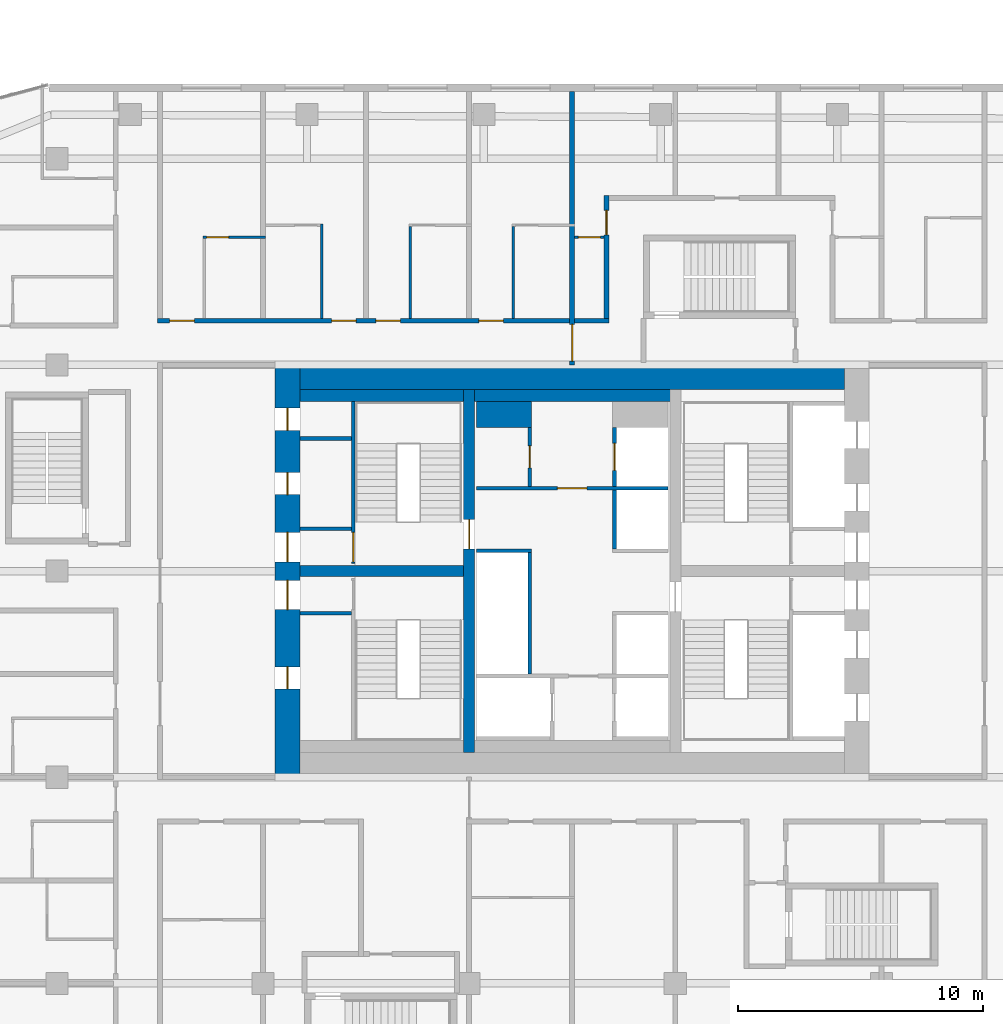
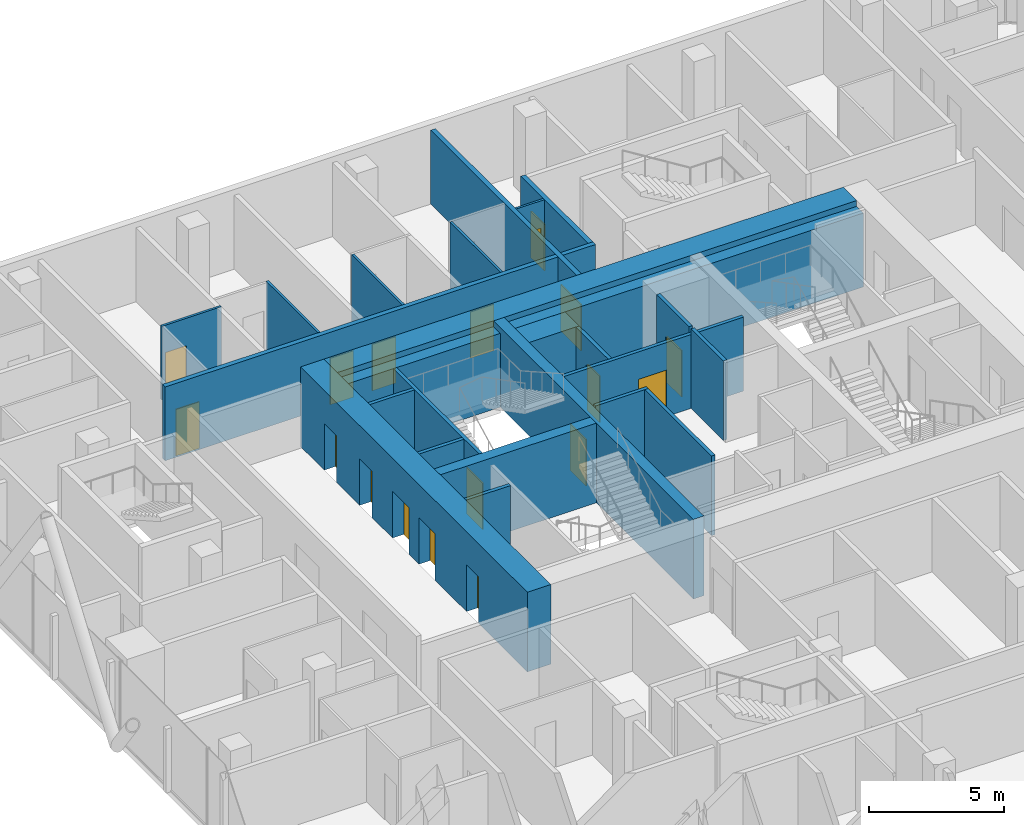
# One storey, part 28 of 33: 24 walls, 18 doors, 18 openings.
"""IFC4 building model written with IfcOpenShell, lengths in metres."""

from ifc_helpers import new_model, si_unit, direction, frame, frame_2d, origin, place, context, subcontext, project, spatial, rectangle, extrude, material, layer, layer_set, type_object, element, fill, save


model = new_model("IFC4")

# Units and contexts
model_context = context("Model", 3, precision=1e-05, world=origin(), true_north=direction((0.0, 1.0)))
body_context = subcontext(model_context, "Body", "Model", "MODEL_VIEW")
ifc_project = project(units=[si_unit("LENGTHUNIT", "METRE"), si_unit("AREAUNIT", "SQUARE_METRE"), si_unit("VOLUMEUNIT", "CUBIC_METRE"), si_unit("PLANEANGLEUNIT", "RADIAN"), si_unit("MASSUNIT", "GRAM", prefix="KILO")], contexts=[model_context])

# Site, building, storey
site_placement = place(None, origin())
site = spatial("IfcSite", under=ifc_project, at=site_placement, CompositionType="ELEMENT")
building_placement = place(site_placement, origin())
building = spatial("IfcBuilding", under=site, at=building_placement, Name="Marenta Gate Hotel Tower", CompositionType="ELEMENT")
storey_placement = place(building_placement, frame((0.0, 0.0, 122.89990234375)))
storey = spatial("IfcBuildingStorey", under=building, at=storey_placement, Name="L27", CompositionType="ELEMENT", Elevation=122.89990234375)

# Wall, opening, door
ifc_material_1 = material(Name="Concrete blockwork", Category="masonry")
ifc_layer_1 = layer(ifc_material_1, 0.199951171875)
ifc_layer_set_1 = layer_set([ifc_layer_1], Name="Concrete blockwork")
wall_type_1 = type_object("IfcWallType", Name="Compartment wall 200 REI 180", PredefinedType="PARTITIONING", material=ifc_layer_set_1)
wall_1_placement = place(storey_placement, frame((0.0, 16.800048828125, 0.0), z_axis=(0.0, 0.0, 1.0), x_axis=(0.0, 1.0, 0.0)))
wall_1 = element("IfcWall", 1, at=wall_1_placement, inside=storey, type_object=wall_type_1, Name="L27-PTN-W064", PredefinedType="PARTITIONING", context=body_context, shape_type="SweptSolid", body=[
    extrude(rectangle(XDim=11.139892578125, YDim=0.199951171875, at=frame_2d((5.56982421875, 0.0))), origin(), (0.0, 0.0, 1.0), 3.340087890625),
])
opening_1_placement = place(wall_1_placement, frame((0.14990234375, 0.0, 0.0)))
opening_1 = element("IfcOpeningElement", 2, at=opening_1_placement, cuts=wall_1, Name="Opening G09-FD1", PredefinedType="OPENING", context=body_context, shape_type="SweptSolid", body=[
    extrude(rectangle(XDim=1.5, YDim=2.10009765625, at=frame_2d((0.75, 1.050048828125))), frame((0.0, 0.10009765625, 0.0), z_axis=(0.0, -1.0, 0.0), x_axis=(1.0, 0.0, 0.0)), (0.0, 0.0, 1.0), 0.199951171875),
])
ifc_material_2 = material(Name="Hollow steel door set", Category="steel")
door_type_1 = type_object("IfcDoorType", Name="Compartment fire door 1500x2100 EI 60", OperationType="DOUBLE_DOOR_DOUBLE_SWING", PredefinedType="DOOR", material=ifc_material_2)
door_1_placement = place(opening_1_placement, origin())
door_1 = element("IfcDoor", 3, at=door_1_placement, inside=storey, type_object=door_type_1, Name="L27-PD-FD01", OperationType="DOUBLE_DOOR_DOUBLE_SWING", OverallHeight=2.10009765625, OverallWidth=1.5, PredefinedType="DOOR", context=body_context, shape_type="SweptSolid", body=[
    extrude(rectangle(XDim=1.5, YDim=2.10009765625, at=frame_2d((0.75, 1.050048828125))), frame((0.0, 0.02490234375, 0.0), z_axis=(0.0, -1.0, 0.0), x_axis=(1.0, 0.0, 0.0)), (0.0, 0.0, 1.0), 0.050048828125),
])
fill(opening_1, door_1)

# Wall
ifc_material_3 = material(Name="Concrete C40", Category="concrete")
ifc_layer_2 = layer(ifc_material_3, 0.5)
ifc_layer_set_2 = layer_set([ifc_layer_2], Name="Concrete C40")
wall_type_2 = type_object("IfcWallType", Name="Core lining wall 500 REI 180", PredefinedType="PARTITIONING", material=ifc_layer_set_2)
wall_2_placement = place(storey_placement, frame((-11.10009765625, 15.550048828125, 0.0), z_axis=(0.0, 0.0, 1.0), x_axis=(1.0, 0.0, 0.0)))
element("IfcWall", 4, at=wall_2_placement, inside=storey, type_object=wall_type_2, Name="L27-CP-LN-N", PredefinedType="PARTITIONING", context=body_context, shape_type="SweptSolid", body=[
    extrude(rectangle(XDim=22.2001953125, YDim=0.5, at=frame_2d((11.10009765625, 0.0))), origin(), (0.0, 0.0, 1.0), 3.340087890625),
])

# Wall, opening, door
ifc_material_4 = material(Name="Concrete blockwork", Category="masonry")
ifc_layer_3 = layer(ifc_material_4, 0.14990234375)
ifc_layer_set_3 = layer_set([ifc_layer_3], Name="Concrete blockwork")
wall_type_3 = type_object("IfcWallType", Name="Core lobby partition 150 REI 180", PredefinedType="PARTITIONING", material=ifc_layer_set_3)
wall_3_placement = place(storey_placement, frame((-3.89990234375, 11.77490234375, 0.0), z_axis=(0.0, 0.0, 1.0), x_axis=(1.0, 0.0, 0.0)))
wall_3 = element("IfcWall", 5, at=wall_3_placement, inside=storey, type_object=wall_type_3, Name="L27-CP-CW-N", PredefinedType="PARTITIONING", context=body_context, shape_type="SweptSolid", body=[
    extrude(rectangle(XDim=7.7998046875, YDim=0.14990234375, at=frame_2d((3.89990234375, 0.0))), origin(), (0.0, 0.0, 1.0), 3.340087890625),
])
opening_2_placement = place(wall_3_placement, frame((3.300048828125, 0.0, 0.0)))
opening_2 = element("IfcOpeningElement", 6, at=opening_2_placement, cuts=wall_3, Name="Opening FD-FFN", PredefinedType="OPENING", context=body_context, shape_type="SweptSolid", body=[
    extrude(rectangle(XDim=1.199951171875, YDim=2.10009765625, at=frame_2d((0.60009765625, 1.050048828125))), frame((0.0, 0.074951171875, 0.0), z_axis=(0.0, -1.0, 0.0), x_axis=(1.0, 0.0, 0.0)), (0.0, 0.0, 1.0), 0.14990234375),
])
ifc_material_5 = material(Name="Steel", Category="steel")
door_type_2 = type_object("IfcDoorType", Name="Core lobby door 1200x2100 FD60", OperationType="SINGLE_SWING_LEFT", PredefinedType="DOOR", material=ifc_material_5)
door_2_placement = place(opening_2_placement, origin())
door_2 = element("IfcDoor", 7, at=door_2_placement, inside=storey, type_object=door_type_2, Name="FD-FFN", OperationType="SINGLE_SWING_LEFT", OverallHeight=2.10009765625, OverallWidth=1.199951171875, PredefinedType="DOOR", context=body_context, shape_type="SweptSolid", body=[
    extrude(rectangle(XDim=1.199951171875, YDim=2.10009765625, at=frame_2d((0.60009765625, 1.050048828125))), frame((0.0, 0.02490234375, 0.0), z_axis=(0.0, -1.0, 0.0), x_axis=(1.0, 0.0, 0.0)), (0.0, 0.0, 1.0), 0.050048828125),
])
fill(opening_2, door_2)

# Walls
ifc_material_6 = material(Name="Concrete blockwork", Category="masonry")
ifc_layer_4 = layer(ifc_material_6, 1.050048828125)
ifc_layer_set_4 = layer_set([ifc_layer_4], Name="Concrete blockwork")
wall_type_4 = type_object("IfcWallType", Name="Core room partition 1050 REI 180", PredefinedType="PARTITIONING", material=ifc_layer_set_4)
wall_4_placement = place(storey_placement, frame((-3.89990234375, 14.77490234375, 0.0), z_axis=(0.0, 0.0, 1.0), x_axis=(1.0, 0.0, 0.0)))
element("IfcWall", 8, at=wall_4_placement, inside=storey, type_object=wall_type_4, Name="L27-CP-CW-W-riser-N", PredefinedType="PARTITIONING", context=body_context, shape_type="SweptSolid", body=[
    extrude(rectangle(XDim=2.25, YDim=1.050048828125, at=frame_2d((1.125, 0.0))), origin(), (0.0, 0.0, 1.0), 3.340087890625),
])
ifc_material_7 = material(Name="Concrete blockwork", Category="masonry")
ifc_layer_5 = layer(ifc_material_7, 0.14990234375)
ifc_layer_set_5 = layer_set([ifc_layer_5], Name="Concrete blockwork")
wall_type_5 = type_object("IfcWallType", Name="Core room partition 150 REI 180", PredefinedType="PARTITIONING", material=ifc_layer_set_5)
for number, where, z_axis, x_axis, name in (
    (9, (-11.10009765625, 6.675048828125, 0.0), (0.0, 0.0, 1.0), (1.0, 0.0, 0.0), "L27-CP-SW-WS-2"),
    (10, (-11.10009765625, 10.125, 0.0), (0.0, 0.0, 1.0), (1.0, 0.0, 0.0), "L27-CP-SW-WN-2"),
    (11, (-11.10009765625, 13.800048828125, 0.0), (0.0, 0.0, 1.0), (1.0, 0.0, 0.0), "L27-CP-RW-WN-1"),
):
    element("IfcWall", number, at=place(storey_placement, frame(where, z_axis=z_axis, x_axis=x_axis)), inside=storey, type_object=wall_type_5, Name=name, PredefinedType="PARTITIONING", context=body_context, shape_type="SweptSolid", body=[
        extrude(rectangle(XDim=2.10009765625, YDim=0.14990234375, at=frame_2d((1.050048828125, 0.0))), origin(), (0.0, 0.0, 1.0), 3.340087890625),
    ])

# Wall, opening, door
wall_5_placement = place(storey_placement, frame((-1.72509765625, 11.85009765625, 0.0), z_axis=(0.0, 0.0, 1.0), x_axis=(0.0, 1.0, 0.0)))
wall_5 = element("IfcWall", 12, at=wall_5_placement, inside=storey, type_object=wall_type_5, Name="L27-CP-CW-W-riser-front", PredefinedType="PARTITIONING", context=body_context, shape_type="SweptSolid", body=[
    extrude(rectangle(XDim=2.39990234375, YDim=0.14990234375, at=frame_2d((1.199951171875, 0.0))), origin(), (0.0, 0.0, 1.0), 3.340087890625),
])
opening_3_placement = place(wall_5_placement, frame((0.75, 0.0, 0.0)))
opening_3 = element("IfcOpeningElement", 13, at=opening_3_placement, cuts=wall_5, Name="Opening RD-CRISER", PredefinedType="OPENING", context=body_context, shape_type="SweptSolid", body=[
    extrude(rectangle(XDim=0.89990234375, YDim=2.10009765625, at=frame_2d((0.449951171875, 1.050048828125))), frame((0.0, 0.074951171875, 0.0), z_axis=(0.0, -1.0, 0.0), x_axis=(1.0, 0.0, 0.0)), (0.0, 0.0, 1.0), 0.14990234375),
])
ifc_material_8 = material(Name="Steel", Category="steel")
door_type_3 = type_object("IfcDoorType", Name="Core riser door 900x2100 FD60", OperationType="SINGLE_SWING_LEFT", PredefinedType="DOOR", material=ifc_material_8)
door_3_placement = place(opening_3_placement, origin())
door_3 = element("IfcDoor", 14, at=door_3_placement, inside=storey, type_object=door_type_3, Name="RD-CRISER", OperationType="SINGLE_SWING_LEFT", OverallHeight=2.10009765625, OverallWidth=0.89990234375, PredefinedType="DOOR", context=body_context, shape_type="SweptSolid", body=[
    extrude(rectangle(XDim=0.89990234375, YDim=2.10009765625, at=frame_2d((0.449951171875, 1.050048828125))), frame((0.0, 0.02490234375, 0.0), z_axis=(0.0, -1.0, 0.0), x_axis=(1.0, 0.0, 0.0)), (0.0, 0.0, 1.0), 0.050048828125),
])
fill(opening_3, door_3)

# Walls
ifc_material_9 = material(Name="Concrete C40", Category="concrete")
ifc_layer_6 = layer(ifc_material_9, 0.14990234375)
ifc_layer_set_6 = layer_set([ifc_layer_6], Name="Concrete C40")
wall_type_6 = type_object("IfcWallType", Name="Core shaft wall 150 REI 180", PredefinedType="SHEAR", material=ifc_layer_set_6)
wall_6_placement = place(storey_placement, frame((-1.72509765625, 4.199951171875, 0.0), z_axis=(0.0, 0.0, 1.0), x_axis=(0.0, 1.0, 0.0)))
element("IfcWall", 15, at=wall_6_placement, inside=storey, type_object=wall_type_6, Name="L27-SHF-CW-W-front", PredefinedType="SHEAR", context=body_context, shape_type="SweptSolid", body=[
    extrude(rectangle(XDim=4.949951171875, YDim=0.14990234375, at=frame_2d((2.47509765625, 0.0))), origin(), (0.0, 0.0, 1.0), 3.60009765625),
])
wall_7_placement = place(storey_placement, frame((-3.89990234375, 9.22509765625, 0.0), z_axis=(0.0, 0.0, 1.0), x_axis=(1.0, 0.0, 0.0)))
element("IfcWall", 16, at=wall_7_placement, inside=storey, type_object=wall_type_6, Name="L27-SHF-CW-W-sep", PredefinedType="SHEAR", context=body_context, shape_type="SweptSolid", body=[
    extrude(rectangle(XDim=2.25, YDim=0.14990234375, at=frame_2d((1.125, 0.0))), origin(), (0.0, 0.0, 1.0), 3.60009765625),
])

# Wall, opening, door
wall_8_placement = place(storey_placement, frame((1.72509765625, 11.85009765625, 0.0), z_axis=(0.0, 0.0, 1.0), x_axis=(0.0, 1.0, 0.0)))
wall_8 = element("IfcWall", 17, at=wall_8_placement, inside=storey, type_object=wall_type_6, Name="L27-SHF-CE-N-front2", PredefinedType="SHEAR", context=body_context, shape_type="SweptSolid", body=[
    extrude(rectangle(XDim=2.39990234375, YDim=0.14990234375, at=frame_2d((1.199951171875, 0.0))), origin(), (0.0, 0.0, 1.0), 3.60009765625),
])
opening_4_placement = place(wall_8_placement, frame((0.64990234375, 0.0, 0.0)))
opening_4 = element("IfcOpeningElement", 18, at=opening_4_placement, cuts=wall_8, Name="Opening LD-FF2", PredefinedType="OPENING", context=body_context, shape_type="SweptSolid", body=[
    extrude(rectangle(XDim=1.10009765625, YDim=2.10009765625, at=frame_2d((0.550048828125, 1.050048828125))), frame((0.0, 0.074951171875, 0.0), z_axis=(0.0, -1.0, 0.0), x_axis=(1.0, 0.0, 0.0)), (0.0, 0.0, 1.0), 0.14990234375),
])
ifc_material_10 = material(Name="Steel", Category="steel")
door_type_4 = type_object("IfcDoorType", Name="Core lift landing door 1100x2100 E 60", OperationType="SLIDING_TO_LEFT", PredefinedType="DOOR", material=ifc_material_10)
door_4_placement = place(opening_4_placement, origin())
door_4 = element("IfcDoor", 19, at=door_4_placement, inside=storey, type_object=door_type_4, Name="LD-FF2", OperationType="SLIDING_TO_LEFT", OverallHeight=2.10009765625, OverallWidth=1.10009765625, PredefinedType="DOOR", context=body_context, shape_type="SweptSolid", body=[
    extrude(rectangle(XDim=1.10009765625, YDim=2.10009765625, at=frame_2d((0.550048828125, 1.050048828125))), frame((0.0, 0.02490234375, 0.0), z_axis=(0.0, -1.0, 0.0), x_axis=(1.0, 0.0, 0.0)), (0.0, 0.0, 1.0), 0.050048828125),
])
fill(opening_4, door_4)

# Wall
wall_9_placement = place(storey_placement, frame((1.72509765625, 9.300048828125, 0.0), z_axis=(0.0, 0.0, 1.0), x_axis=(0.0, 1.0, 0.0)))
element("IfcWall", 20, at=wall_9_placement, inside=storey, type_object=wall_type_6, Name="L27-SHF-CE-front-2", PredefinedType="SHEAR", context=body_context, shape_type="SweptSolid", body=[
    extrude(rectangle(XDim=2.39990234375, YDim=0.14990234375, at=frame_2d((1.199951171875, 0.0))), origin(), (0.0, 0.0, 1.0), 3.60009765625),
])

# Wall, opening, door
ifc_material_11 = material(Name="Concrete C40", Category="concrete")
ifc_layer_7 = layer(ifc_material_11, 0.14990234375)
ifc_layer_set_7 = layer_set([ifc_layer_7], Name="Concrete C40")
wall_type_7 = type_object("IfcWallType", Name="Core stair enclosure wall 150 REI 180", PredefinedType="SHEAR", material=ifc_layer_set_7)
wall_10_placement = place(storey_placement, frame((-8.925048828125, 8.699951171875, 0.0), z_axis=(0.0, 0.0, 1.0), x_axis=(0.0, 1.0, 0.0)))
wall_10 = element("IfcWall", 21, at=wall_10_placement, inside=storey, type_object=wall_type_7, Name="L27-SHF-SW-WN-3", PredefinedType="SHEAR", context=body_context, shape_type="SweptSolid", body=[
    extrude(rectangle(XDim=6.60009765625, YDim=0.14990234375, at=frame_2d((3.300048828125, 0.0))), origin(), (0.0, 0.0, 1.0), 3.340087890625),
])
opening_5_placement = place(wall_10_placement, frame((0.074951171875, 0.0, 0.0)))
opening_5 = element("IfcOpeningElement", 22, at=opening_5_placement, cuts=wall_10, Name="Opening SD-WN", PredefinedType="OPENING", context=body_context, shape_type="SweptSolid", body=[
    extrude(rectangle(XDim=1.199951171875, YDim=2.10009765625, at=frame_2d((0.60009765625, 1.050048828125))), frame((0.0, 0.074951171875, 0.0), z_axis=(0.0, -1.0, 0.0), x_axis=(1.0, 0.0, 0.0)), (0.0, 0.0, 1.0), 0.14990234375),
])
ifc_material_12 = material(Name="Steel", Category="steel")
door_type_5 = type_object("IfcDoorType", Name="Core stair door 1200x2100 FD60", OperationType="SINGLE_SWING_LEFT", PredefinedType="DOOR", material=ifc_material_12)
door_5_placement = place(opening_5_placement, origin())
door_5 = element("IfcDoor", 23, at=door_5_placement, inside=storey, type_object=door_type_5, Name="SD-WN", OperationType="SINGLE_SWING_LEFT", OverallHeight=2.10009765625, OverallWidth=1.199951171875, PredefinedType="DOOR", context=body_context, shape_type="SweptSolid", body=[
    extrude(rectangle(XDim=1.199951171875, YDim=2.10009765625, at=frame_2d((0.60009765625, 1.050048828125))), frame((0.0, 0.02490234375, 0.0), z_axis=(0.0, -1.0, 0.0), x_axis=(1.0, 0.0, 0.0)), (0.0, 0.0, 1.0), 0.050048828125),
])
fill(opening_5, door_5)

# Wall, openings, doors
ifc_material_13 = material(Name="Concrete C70", Category="concrete")
ifc_layer_8 = layer(ifc_material_13, 1.0)
ifc_layer_set_8 = layer_set([ifc_layer_8], Name="Concrete C70")
wall_type_8 = type_object("IfcWallType", Name="Core wall 1000 C70", PredefinedType="SHEAR", material=ifc_layer_set_8)
wall_11_placement = place(storey_placement, frame((-11.60009765625, 0.0, 0.0), z_axis=(0.0, 0.0, 1.0), x_axis=(0.0, 1.0, 0.0)))
wall_11 = element("IfcWall", 24, at=wall_11_placement, inside=storey, type_object=wall_type_8, Name="L27-CORE-W", PredefinedType="SHEAR", context=body_context, shape_type="SweptSolid", body=[
    extrude(rectangle(XDim=16.800048828125, YDim=1.0, at=frame_2d((8.39990234375, 0.0))), origin(), (0.0, 0.0, 1.0), 3.60009765625),
])
opening_6_placement = place(wall_11_placement, frame((3.60009765625, 0.0, 0.0)))
opening_6 = element("IfcOpeningElement", 25, at=opening_6_placement, cuts=wall_11, Name="Opening RD-WS-1", PredefinedType="OPENING", context=body_context, shape_type="SweptSolid", body=[
    extrude(rectangle(XDim=0.89990234375, YDim=2.10009765625, at=frame_2d((0.449951171875, 1.050048828125))), frame((0.0, 0.5, 0.0), z_axis=(0.0, -1.0, 0.0), x_axis=(1.0, 0.0, 0.0)), (0.0, 0.0, 1.0), 1.0),
])
opening_7_placement = place(wall_11_placement, frame((6.824951171875, 0.0, 0.0)))
opening_7 = element("IfcOpeningElement", 26, at=opening_7_placement, cuts=wall_11, Name="Opening PD-WS", PredefinedType="OPENING", context=body_context, shape_type="SweptSolid", body=[
    extrude(rectangle(XDim=1.199951171875, YDim=2.10009765625, at=frame_2d((0.60009765625, 1.050048828125))), frame((0.0, 0.5, 0.0), z_axis=(0.0, -1.0, 0.0), x_axis=(1.0, 0.0, 0.0)), (0.0, 0.0, 1.0), 1.0),
])
opening_8_placement = place(wall_11_placement, frame((14.137451171875, 0.0, 0.0)))
opening_8 = element("IfcOpeningElement", 27, at=opening_8_placement, cuts=wall_11, Name="Opening RD-WN-1", PredefinedType="OPENING", context=body_context, shape_type="SweptSolid", body=[
    extrude(rectangle(XDim=0.89990234375, YDim=2.10009765625, at=frame_2d((0.449951171875, 1.050048828125))), frame((0.0, 0.5, 0.0), z_axis=(0.0, -1.0, 0.0), x_axis=(1.0, 0.0, 0.0)), (0.0, 0.0, 1.0), 1.0),
])
opening_9_placement = place(wall_11_placement, frame((11.512451171875, 0.0, 0.0)))
opening_9 = element("IfcOpeningElement", 28, at=opening_9_placement, cuts=wall_11, Name="Opening RD-WN-2", PredefinedType="OPENING", context=body_context, shape_type="SweptSolid", body=[
    extrude(rectangle(XDim=0.89990234375, YDim=2.10009765625, at=frame_2d((0.449951171875, 1.050048828125))), frame((0.0, 0.5, 0.0), z_axis=(0.0, -1.0, 0.0), x_axis=(1.0, 0.0, 0.0)), (0.0, 0.0, 1.0), 1.0),
])
opening_10_placement = place(wall_11_placement, frame((8.77490234375, 0.0, 0.0)))
opening_10 = element("IfcOpeningElement", 29, at=opening_10_placement, cuts=wall_11, Name="Opening PD-WN", PredefinedType="OPENING", context=body_context, shape_type="SweptSolid", body=[
    extrude(rectangle(XDim=1.199951171875, YDim=2.10009765625, at=frame_2d((0.60009765625, 1.050048828125))), frame((0.0, 0.5, 0.0), z_axis=(0.0, -1.0, 0.0), x_axis=(1.0, 0.0, 0.0)), (0.0, 0.0, 1.0), 1.0),
])
door_6_placement = place(opening_7_placement, origin())
door_6 = element("IfcDoor", 30, at=door_6_placement, inside=storey, type_object=door_type_2, Name="PD-WS", OperationType="SINGLE_SWING_LEFT", OverallHeight=2.10009765625, OverallWidth=1.199951171875, PredefinedType="DOOR", context=body_context, shape_type="SweptSolid", body=[
    extrude(rectangle(XDim=1.199951171875, YDim=2.10009765625, at=frame_2d((0.60009765625, 1.050048828125))), frame((0.0, 0.02490234375, 0.0), z_axis=(0.0, -1.0, 0.0), x_axis=(1.0, 0.0, 0.0)), (0.0, 0.0, 1.0), 0.050048828125),
])
fill(opening_7, door_6)
door_7_placement = place(opening_10_placement, origin())
door_7 = element("IfcDoor", 31, at=door_7_placement, inside=storey, type_object=door_type_2, Name="PD-WN", OperationType="SINGLE_SWING_LEFT", OverallHeight=2.10009765625, OverallWidth=1.199951171875, PredefinedType="DOOR", context=body_context, shape_type="SweptSolid", body=[
    extrude(rectangle(XDim=1.199951171875, YDim=2.10009765625, at=frame_2d((0.60009765625, 1.050048828125))), frame((0.0, 0.02490234375, 0.0), z_axis=(0.0, -1.0, 0.0), x_axis=(1.0, 0.0, 0.0)), (0.0, 0.0, 1.0), 0.050048828125),
])
fill(opening_10, door_7)
ifc_material_14 = material(Name="Steel", Category="steel")
door_type_6 = type_object("IfcDoorType", Name="Core service room door 900x2100 FD30S", OperationType="SINGLE_SWING_LEFT", PredefinedType="DOOR", material=ifc_material_14)
door_8_placement = place(opening_6_placement, origin())
door_8 = element("IfcDoor", 32, at=door_8_placement, inside=storey, type_object=door_type_6, Name="RD-WS-1", OperationType="SINGLE_SWING_LEFT", OverallHeight=2.10009765625, OverallWidth=0.89990234375, PredefinedType="DOOR", context=body_context, shape_type="SweptSolid", body=[
    extrude(rectangle(XDim=0.89990234375, YDim=2.10009765625, at=frame_2d((0.449951171875, 1.050048828125))), frame((0.0, 0.02490234375, 0.0), z_axis=(0.0, -1.0, 0.0), x_axis=(1.0, 0.0, 0.0)), (0.0, 0.0, 1.0), 0.050048828125),
])
fill(opening_6, door_8)
door_9_placement = place(opening_8_placement, origin())
door_9 = element("IfcDoor", 33, at=door_9_placement, inside=storey, type_object=door_type_6, Name="RD-WN-1", OperationType="SINGLE_SWING_LEFT", OverallHeight=2.10009765625, OverallWidth=0.89990234375, PredefinedType="DOOR", context=body_context, shape_type="SweptSolid", body=[
    extrude(rectangle(XDim=0.89990234375, YDim=2.10009765625, at=frame_2d((0.449951171875, 1.050048828125))), frame((0.0, 0.02490234375, 0.0), z_axis=(0.0, -1.0, 0.0), x_axis=(1.0, 0.0, 0.0)), (0.0, 0.0, 1.0), 0.050048828125),
])
fill(opening_8, door_9)
door_10_placement = place(opening_9_placement, origin())
door_10 = element("IfcDoor", 34, at=door_10_placement, inside=storey, type_object=door_type_6, Name="RD-WN-2", OperationType="SINGLE_SWING_LEFT", OverallHeight=2.10009765625, OverallWidth=0.89990234375, PredefinedType="DOOR", context=body_context, shape_type="SweptSolid", body=[
    extrude(rectangle(XDim=0.89990234375, YDim=2.10009765625, at=frame_2d((0.449951171875, 1.050048828125))), frame((0.0, 0.02490234375, 0.0), z_axis=(0.0, -1.0, 0.0), x_axis=(1.0, 0.0, 0.0)), (0.0, 0.0, 1.0), 0.050048828125),
])
fill(opening_9, door_10)

# Wall
wall_12_placement = place(storey_placement, frame((-11.10009765625, 16.300048828125, 0.0), z_axis=(0.0, 0.0, 1.0), x_axis=(1.0, 0.0, 0.0)))
element("IfcWall", 35, at=wall_12_placement, inside=storey, type_object=wall_type_8, Name="L27-CORE-N", PredefinedType="SHEAR", context=body_context, shape_type="SweptSolid", body=[
    extrude(rectangle(XDim=22.2001953125, YDim=1.0, at=frame_2d((11.10009765625, 0.0))), origin(), (0.0, 0.0, 1.0), 3.60009765625),
])

# Wall, opening, door
ifc_material_15 = material(Name="Concrete C70", Category="concrete")
ifc_layer_9 = layer(ifc_material_15, 0.449951171875)
ifc_layer_set_9 = layer_set([ifc_layer_9], Name="Concrete C70")
wall_type_9 = type_object("IfcWallType", Name="Core web 450 C70", PredefinedType="SHEAR", material=ifc_layer_set_9)
wall_13_placement = place(storey_placement, frame((-4.199951171875, 1.0, 0.0), z_axis=(0.0, 0.0, 1.0), x_axis=(0.0, 1.0, 0.0)))
wall_13 = element("IfcWall", 36, at=wall_13_placement, inside=storey, type_object=wall_type_9, Name="L27-CORE-W1", PredefinedType="SHEAR", context=body_context, shape_type="SweptSolid", body=[
    extrude(rectangle(XDim=14.800048828125, YDim=0.449951171875, at=frame_2d((7.39990234375, 0.0))), origin(), (0.0, 0.0, 1.0), 3.60009765625),
])
opening_11_placement = place(wall_13_placement, frame((8.300048828125, 0.0, 0.0)))
opening_11 = element("IfcOpeningElement", 37, at=opening_11_placement, cuts=wall_13, Name="Opening WD-W", PredefinedType="OPENING", context=body_context, shape_type="SweptSolid", body=[
    extrude(rectangle(XDim=1.199951171875, YDim=2.10009765625, at=frame_2d((0.60009765625, 1.050048828125))), frame((0.0, 0.22509765625, 0.0), z_axis=(0.0, -1.0, 0.0), x_axis=(1.0, 0.0, 0.0)), (0.0, 0.0, 1.0), 0.449951171875),
])
door_11_placement = place(opening_11_placement, origin())
door_11 = element("IfcDoor", 38, at=door_11_placement, inside=storey, type_object=door_type_5, Name="WD-W", OperationType="SINGLE_SWING_LEFT", OverallHeight=2.10009765625, OverallWidth=1.199951171875, PredefinedType="DOOR", context=body_context, shape_type="SweptSolid", body=[
    extrude(rectangle(XDim=1.199951171875, YDim=2.10009765625, at=frame_2d((0.60009765625, 1.050048828125))), frame((0.0, 0.02490234375, 0.0), z_axis=(0.0, -1.0, 0.0), x_axis=(1.0, 0.0, 0.0)), (0.0, 0.0, 1.0), 0.050048828125),
])
fill(opening_11, door_11)

# Wall
wall_14_placement = place(storey_placement, frame((-11.10009765625, 8.39990234375, 0.0), z_axis=(0.0, 0.0, 1.0), x_axis=(1.0, 0.0, 0.0)))
element("IfcWall", 39, at=wall_14_placement, inside=storey, type_object=wall_type_9, Name="L27-CORE-W3", PredefinedType="SHEAR", context=body_context, shape_type="SweptSolid", body=[
    extrude(rectangle(XDim=6.675048828125, YDim=0.449951171875, at=frame_2d((3.33740234375, 0.0))), origin(), (0.0, 0.0, 1.0), 3.60009765625),
])

# Wall, opening, door
ifc_material_16 = material(Name="Gypsum board on steel stud", Category="steel")
ifc_layer_10 = layer(ifc_material_16, 0.199951171875)
ifc_layer_set_10 = layer_set([ifc_layer_10], Name="Gypsum board on steel stud")
wall_type_10 = type_object("IfcWallType", Name="Room corridor wall 200 EI 60", PredefinedType="PARTITIONING", material=ifc_layer_set_10)
wall_15_placement = place(storey_placement, frame((1.39990234375, 18.699951171875, 0.0), z_axis=(0.0, 0.0, 1.0), x_axis=(0.0, 1.0, 0.0)))
wall_15 = element("IfcWall", 40, at=wall_15_placement, inside=storey, type_object=wall_type_10, Name="L27-PTN-W062", PredefinedType="PARTITIONING", context=body_context, shape_type="SweptSolid", body=[
    extrude(rectangle(XDim=5.0, YDim=0.199951171875, at=frame_2d((2.5, 0.0))), origin(), (0.0, 0.0, 1.0), 3.340087890625),
])
opening_12_placement = place(wall_15_placement, frame((3.39990234375, 0.0, 0.0)))
opening_12 = element("IfcOpeningElement", 41, at=opening_12_placement, cuts=wall_15, Name="Opening G09-34", PredefinedType="OPENING", context=body_context, shape_type="SweptSolid", body=[
    extrude(rectangle(XDim=1.0, YDim=2.10009765625, at=frame_2d((0.5, 1.050048828125))), frame((0.0, 0.10009765625, 0.0), z_axis=(0.0, -1.0, 0.0), x_axis=(1.0, 0.0, 0.0)), (0.0, 0.0, 1.0), 0.199951171875),
])
ifc_material_17 = material(Name="Timber door leaf", Category="wood")
door_type_7 = type_object("IfcDoorType", Name="Guest room door 1000x2100 EI 30", OperationType="NOTDEFINED", PredefinedType="DOOR", material=ifc_material_17)
door_12_placement = place(opening_12_placement, origin())
door_12 = element("IfcDoor", 42, at=door_12_placement, inside=storey, type_object=door_type_7, Name="L27-PD-D034", OperationType="SINGLE_SWING_RIGHT", OverallHeight=2.10009765625, OverallWidth=1.0, PredefinedType="DOOR", context=body_context, shape_type="SweptSolid", body=[
    extrude(rectangle(XDim=1.0, YDim=2.10009765625, at=frame_2d((0.5, 1.050048828125))), frame((0.0, 0.02490234375, 0.0), z_axis=(0.0, -1.0, 0.0), x_axis=(1.0, 0.0, 0.0)), (0.0, 0.0, 1.0), 0.050048828125),
])
fill(opening_12, door_12)

# Wall, openings, doors
wall_16_placement = place(storey_placement, frame((-16.89990234375, 18.60009765625, 0.0), z_axis=(0.0, 0.0, 1.0), x_axis=(1.0, 0.0, 0.0)))
wall_16 = element("IfcWall", 43, at=wall_16_placement, inside=storey, type_object=wall_type_10, Name="L27-PTN-W106", PredefinedType="PARTITIONING", context=body_context, shape_type="SweptSolid", body=[
    extrude(rectangle(XDim=18.39990234375, YDim=0.199951171875, at=frame_2d((9.199951171875, 0.0))), origin(), (0.0, 0.0, 1.0), 3.340087890625),
])
opening_13_placement = place(wall_16_placement, frame((0.5, 0.0, 0.0)))
opening_13 = element("IfcOpeningElement", 44, at=opening_13_placement, cuts=wall_16, Name="Opening G09-26", PredefinedType="OPENING", context=body_context, shape_type="SweptSolid", body=[
    extrude(rectangle(XDim=1.0, YDim=2.10009765625, at=frame_2d((0.5, 1.050048828125))), frame((0.0, 0.10009765625, 0.0), z_axis=(0.0, -1.0, 0.0), x_axis=(1.0, 0.0, 0.0)), (0.0, 0.0, 1.0), 0.199951171875),
])
opening_14_placement = place(wall_16_placement, frame((7.10009765625, 0.0, 0.0)))
opening_14 = element("IfcOpeningElement", 45, at=opening_14_placement, cuts=wall_16, Name="Opening G09-28", PredefinedType="OPENING", context=body_context, shape_type="SweptSolid", body=[
    extrude(rectangle(XDim=1.0, YDim=2.10009765625, at=frame_2d((0.5, 1.050048828125))), frame((0.0, 0.10009765625, 0.0), z_axis=(0.0, -1.0, 0.0), x_axis=(1.0, 0.0, 0.0)), (0.0, 0.0, 1.0), 0.199951171875),
])
opening_15_placement = place(wall_16_placement, frame((8.89990234375, 0.0, 0.0)))
opening_15 = element("IfcOpeningElement", 46, at=opening_15_placement, cuts=wall_16, Name="Opening G09-30", PredefinedType="OPENING", context=body_context, shape_type="SweptSolid", body=[
    extrude(rectangle(XDim=1.0, YDim=2.10009765625, at=frame_2d((0.5, 1.050048828125))), frame((0.0, 0.10009765625, 0.0), z_axis=(0.0, -1.0, 0.0), x_axis=(1.0, 0.0, 0.0)), (0.0, 0.0, 1.0), 0.199951171875),
])
opening_16_placement = place(wall_16_placement, frame((13.10009765625, 0.0, 0.0)))
opening_16 = element("IfcOpeningElement", 47, at=opening_16_placement, cuts=wall_16, Name="Opening G09-32", PredefinedType="OPENING", context=body_context, shape_type="SweptSolid", body=[
    extrude(rectangle(XDim=1.0, YDim=2.10009765625, at=frame_2d((0.5, 1.050048828125))), frame((0.0, 0.10009765625, 0.0), z_axis=(0.0, -1.0, 0.0), x_axis=(1.0, 0.0, 0.0)), (0.0, 0.0, 1.0), 0.199951171875),
])
door_13_placement = place(opening_13_placement, origin())
door_13 = element("IfcDoor", 48, at=door_13_placement, inside=storey, type_object=door_type_7, Name="L27-PD-D026", OperationType="SINGLE_SWING_LEFT", OverallHeight=2.10009765625, OverallWidth=1.0, PredefinedType="DOOR", context=body_context, shape_type="SweptSolid", body=[
    extrude(rectangle(XDim=1.0, YDim=2.10009765625, at=frame_2d((0.5, 1.050048828125))), frame((0.0, 0.02490234375, 0.0), z_axis=(0.0, -1.0, 0.0), x_axis=(1.0, 0.0, 0.0)), (0.0, 0.0, 1.0), 0.050048828125),
])
fill(opening_13, door_13)
door_14_placement = place(opening_14_placement, origin())
door_14 = element("IfcDoor", 49, at=door_14_placement, inside=storey, type_object=door_type_7, Name="L27-PD-D028", OperationType="SINGLE_SWING_LEFT", OverallHeight=2.10009765625, OverallWidth=1.0, PredefinedType="DOOR", context=body_context, shape_type="SweptSolid", body=[
    extrude(rectangle(XDim=1.0, YDim=2.10009765625, at=frame_2d((0.5, 1.050048828125))), frame((0.0, 0.02490234375, 0.0), z_axis=(0.0, -1.0, 0.0), x_axis=(1.0, 0.0, 0.0)), (0.0, 0.0, 1.0), 0.050048828125),
])
fill(opening_14, door_14)
door_15_placement = place(opening_15_placement, origin())
door_15 = element("IfcDoor", 50, at=door_15_placement, inside=storey, type_object=door_type_7, Name="L27-PD-D030", OperationType="SINGLE_SWING_LEFT", OverallHeight=2.10009765625, OverallWidth=1.0, PredefinedType="DOOR", context=body_context, shape_type="SweptSolid", body=[
    extrude(rectangle(XDim=1.0, YDim=2.10009765625, at=frame_2d((0.5, 1.050048828125))), frame((0.0, 0.02490234375, 0.0), z_axis=(0.0, -1.0, 0.0), x_axis=(1.0, 0.0, 0.0)), (0.0, 0.0, 1.0), 0.050048828125),
])
fill(opening_15, door_15)
door_16_placement = place(opening_16_placement, origin())
door_16 = element("IfcDoor", 51, at=door_16_placement, inside=storey, type_object=door_type_7, Name="L27-PD-D032", OperationType="SINGLE_SWING_LEFT", OverallHeight=2.10009765625, OverallWidth=1.0, PredefinedType="DOOR", context=body_context, shape_type="SweptSolid", body=[
    extrude(rectangle(XDim=1.0, YDim=2.10009765625, at=frame_2d((0.5, 1.050048828125))), frame((0.0, 0.02490234375, 0.0), z_axis=(0.0, -1.0, 0.0), x_axis=(1.0, 0.0, 0.0)), (0.0, 0.0, 1.0), 0.050048828125),
])
fill(opening_16, door_16)

# Walls
ifc_material_18 = material(Name="Gypsum board on steel stud", Category="steel")
ifc_layer_11 = layer(ifc_material_18, 0.10009765625)
ifc_layer_set_11 = layer_set([ifc_layer_11], Name="Gypsum board on steel stud")
wall_type_11 = type_object("IfcWallType", Name="Room partition 100", PredefinedType="PARTITIONING", material=ifc_layer_set_11)
for number, where, z_axis, x_axis, name in (
    (52, (-2.39990234375, 18.699951171875, 0.0), (0.0, 0.0, 1.0), (0.0, 1.0, 0.0), "L27-PTN-W067"),
    (53, (-6.60009765625, 18.699951171875, 0.0), (0.0, 0.0, 1.0), (0.0, 1.0, 0.0), "L27-PTN-W078"),
):
    element("IfcWall", number, at=place(storey_placement, frame(where, z_axis=z_axis, x_axis=x_axis)), inside=storey, type_object=wall_type_11, Name=name, PredefinedType="PARTITIONING", context=body_context, shape_type="SweptSolid", body=[
        extrude(rectangle(XDim=3.75, YDim=0.10009765625, at=frame_2d((1.875, 0.0))), origin(), (0.0, 0.0, 1.0), 3.340087890625),
    ])
wall_17_placement = place(storey_placement, frame((-10.199951171875, 18.699951171875, 0.0), z_axis=(0.0, 0.0, 1.0), x_axis=(0.0, 1.0, 0.0)))
element("IfcWall", 54, at=wall_17_placement, inside=storey, type_object=wall_type_11, Name="L27-PTN-W086", PredefinedType="PARTITIONING", context=body_context, shape_type="SweptSolid", body=[
    extrude(rectangle(XDim=3.85009765625, YDim=0.10009765625, at=frame_2d((1.925048828125, 0.0))), origin(), (0.0, 0.0, 1.0), 3.340087890625),
])

# Wall, opening, door
wall_18_placement = place(storey_placement, frame((-15.050048828125, 22.0, 0.0), z_axis=(0.0, 0.0, 1.0), x_axis=(1.0, 0.0, 0.0)))
wall_18 = element("IfcWall", 55, at=wall_18_placement, inside=storey, type_object=wall_type_11, Name="L27-PTN-W114", PredefinedType="PARTITIONING", context=body_context, shape_type="SweptSolid", body=[
    extrude(rectangle(XDim=2.550048828125, YDim=0.10009765625, at=frame_2d((1.27490234375, 0.0))), origin(), (0.0, 0.0, 1.0), 3.340087890625),
])
opening_17_placement = place(wall_18_placement, frame((0.14990234375, 0.0, 0.0)))
opening_17 = element("IfcOpeningElement", 56, at=opening_17_placement, cuts=wall_18, Name="Opening G09-27", PredefinedType="OPENING", context=body_context, shape_type="SweptSolid", body=[
    extrude(rectangle(XDim=0.89990234375, YDim=2.10009765625, at=frame_2d((0.449951171875, 1.050048828125))), frame((0.0, 0.050048828125, 0.0), z_axis=(0.0, -1.0, 0.0), x_axis=(1.0, 0.0, 0.0)), (0.0, 0.0, 1.0), 0.10009765625),
])
ifc_material_19 = material(Name="Timber door leaf", Category="wood")
door_type_8 = type_object("IfcDoorType", Name="Guest bathroom door 900x2100", OperationType="NOTDEFINED", PredefinedType="DOOR", material=ifc_material_19)
door_17_placement = place(opening_17_placement, origin())
door_17 = element("IfcDoor", 57, at=door_17_placement, inside=storey, type_object=door_type_8, Name="L27-PD-D027", OperationType="SINGLE_SWING_RIGHT", OverallHeight=2.10009765625, OverallWidth=0.89990234375, PredefinedType="DOOR", context=body_context, shape_type="SweptSolid", body=[
    extrude(rectangle(XDim=0.89990234375, YDim=2.10009765625, at=frame_2d((0.449951171875, 1.050048828125))), frame((0.0, 0.02490234375, 0.0), z_axis=(0.0, -1.0, 0.0), x_axis=(1.0, 0.0, 0.0)), (0.0, 0.0, 1.0), 0.050048828125),
])
fill(opening_17, door_17)

wall_19_placement = place(storey_placement, frame((0.10009765625, 22.0, 0.0), z_axis=(0.0, 0.0, 1.0), x_axis=(1.0, 0.0, 0.0)))
wall_19 = element("IfcWall", 58, at=wall_19_placement, inside=storey, type_object=wall_type_11, Name="L27-PTN-W115", PredefinedType="PARTITIONING", context=body_context, shape_type="SweptSolid", body=[
    extrude(rectangle(XDim=1.199951171875, YDim=0.10009765625, at=frame_2d((0.60009765625, 0.0))), origin(), (0.0, 0.0, 1.0), 3.340087890625),
])
opening_18_placement = place(wall_19_placement, frame((0.14990234375, 0.0, 0.0)))
opening_18 = element("IfcOpeningElement", 59, at=opening_18_placement, cuts=wall_19, Name="Opening G09-35", PredefinedType="OPENING", context=body_context, shape_type="SweptSolid", body=[
    extrude(rectangle(XDim=0.89990234375, YDim=2.10009765625, at=frame_2d((0.449951171875, 1.050048828125))), frame((0.0, 0.050048828125, 0.0), z_axis=(0.0, -1.0, 0.0), x_axis=(1.0, 0.0, 0.0)), (0.0, 0.0, 1.0), 0.10009765625),
])
door_18_placement = place(opening_18_placement, origin())
door_18 = element("IfcDoor", 60, at=door_18_placement, inside=storey, type_object=door_type_8, Name="L27-PD-D035", OperationType="SINGLE_SWING_LEFT", OverallHeight=2.10009765625, OverallWidth=0.89990234375, PredefinedType="DOOR", context=body_context, shape_type="SweptSolid", body=[
    extrude(rectangle(XDim=0.89990234375, YDim=2.10009765625, at=frame_2d((0.449951171875, 1.050048828125))), frame((0.0, 0.02490234375, 0.0), z_axis=(0.0, -1.0, 0.0), x_axis=(1.0, 0.0, 0.0)), (0.0, 0.0, 1.0), 0.050048828125),
])
fill(opening_18, door_18)

save(model, "model.ifc")
